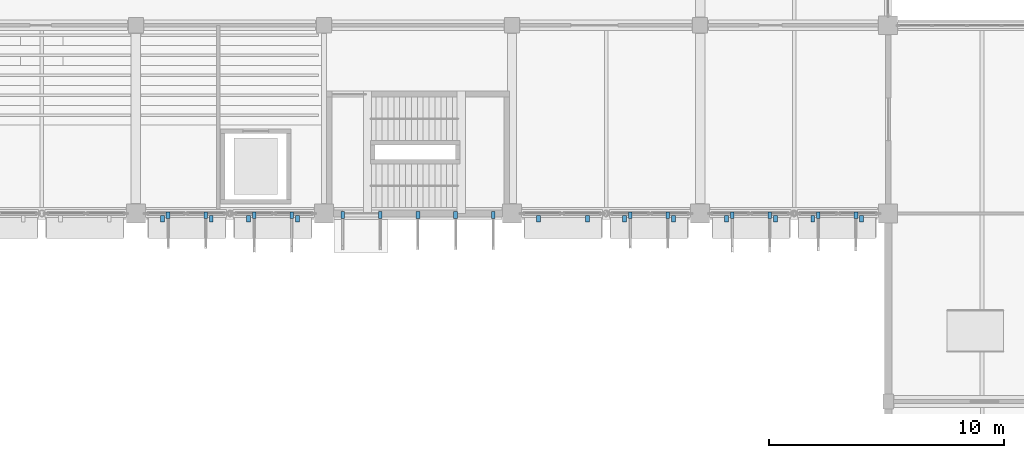
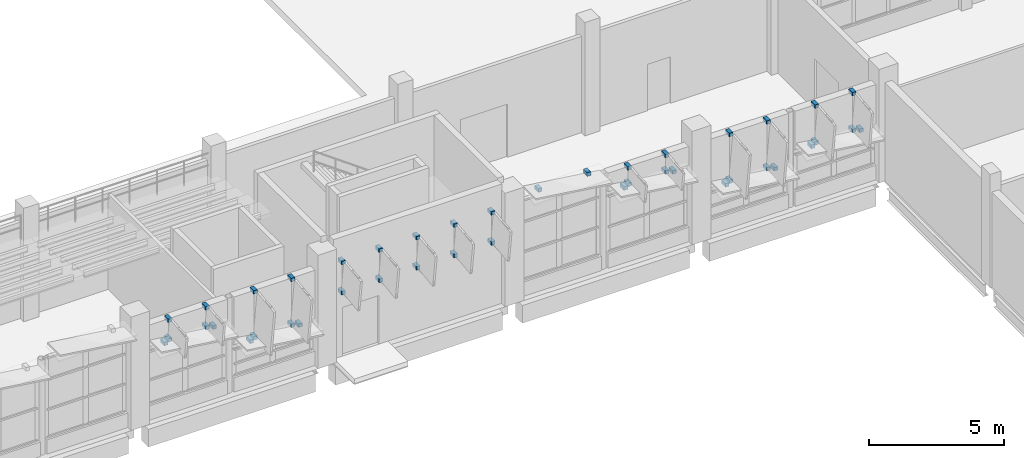
# One storey, part 89 of 103: 42 discrete accessories.
"""IFC4 building model written with IfcOpenShell, lengths in metres."""

from ifc_helpers import new_model, si_unit, direction, frame, origin, origin_2d, place, context, subcontext, project, spatial, rectangle, extrude, material, type_object, element, save


model = new_model("IFC4")

# Units and contexts
model_context = context("Model", 3, precision=1e-05, world=origin(), true_north=direction((0.0, 1.0)))
body_context = subcontext(model_context, "Body", "Model", "MODEL_VIEW")
ifc_project = project(units=[si_unit("LENGTHUNIT", "METRE"), si_unit("AREAUNIT", "SQUARE_METRE"), si_unit("VOLUMEUNIT", "CUBIC_METRE"), si_unit("PLANEANGLEUNIT", "RADIAN"), si_unit("MASSUNIT", "GRAM", prefix="KILO")], contexts=[model_context])

# Site, building, storey
site_placement = place(None, origin())
site = spatial("IfcSite", under=ifc_project, at=site_placement, CompositionType="ELEMENT")
building_placement = place(site_placement, origin())
building = spatial("IfcBuilding", under=site, at=building_placement, Name="Drelvana Railside Aquatics Centre", CompositionType="ELEMENT")
storey_placement = place(building_placement, origin())
storey = spatial("IfcBuildingStorey", under=building, at=storey_placement, Name="L00", CompositionType="ELEMENT", Elevation=0.0)

# Discrete accessories
ifc_material = material(Name="Stainless steel 316 facade bracket", Category="steel")
discrete_accessory_type = type_object("IfcDiscreteAccessoryType", Name="ACC-BRACKET-FIN", PredefinedType="BRACKET", material=ifc_material)
for number, where, z_axis, x_axis, name in (
    (1, (65.3701171875, 15.9150390625, 3.29296875), (0.0, 0.0, 1.0), (0.0, -1.0, 0.0), "Shading fin bracket BK-0167"),
    (2, (65.3701171875, 15.9150390625, 4.18017578125), (0.0, 0.0, 1.0), (0.0, -1.0, 0.0), "Shading fin bracket BK-0168"),
    (3, (66.969970703125, 15.9150390625, 3.29296875), (0.0, 0.0, 1.0), (0.0, -1.0, 0.0), "Shading fin bracket BK-0169"),
    (4, (66.969970703125, 15.9150390625, 4.18017578125), (0.0, 0.0, 1.0), (0.0, -1.0, 0.0), "Shading fin bracket BK-0170"),
):
    element("IfcDiscreteAccessory", number, at=place(storey_placement, frame(where, z_axis=z_axis, x_axis=x_axis)), inside=storey, type_object=discrete_accessory_type, Name=name, PredefinedType="BRACKET", context=body_context, shape_type="SweptSolid", body=[
        extrude(rectangle(XDim=0.280029296875, YDim=0.159912109375, at=origin_2d()), origin(), (0.0, 0.0, 1.0), 0.159912109375),
    ])
for number, where, z_axis, x_axis, name in (
    (5, (65.1298828125, 15.780029296875, 3.2978515625), (0.0, 0.0, 1.0), (1.0, 0.0, 0.0), "Eyelid louvre bracket BK-0171"),
    (6, (67.2099609375, 15.780029296875, 3.2978515625), (0.0, 0.0, 1.0), (1.0, 0.0, 0.0), "Eyelid louvre bracket BK-0172"),
):
    element("IfcDiscreteAccessory", number, at=place(storey_placement, frame(where, z_axis=z_axis, x_axis=x_axis)), inside=storey, type_object=discrete_accessory_type, Name=name, PredefinedType="BRACKET", context=body_context, shape_type="SweptSolid", body=[
        extrude(rectangle(XDim=0.159912109375, YDim=0.280029296875, at=origin_2d()), origin(), (0.0, 0.0, 1.0), 0.159912109375),
    ])
for number, where, z_axis, x_axis, name in (
    (7, (69.030029296875, 15.9150390625, 2.10498046875), (0.0, 0.0, 1.0), (0.0, -1.0, 0.0), "Shading fin bracket BK-0173"),
    (8, (69.030029296875, 15.9150390625, 4.18017578125), (0.0, 0.0, 1.0), (0.0, -1.0, 0.0), "Shading fin bracket BK-0174"),
    (9, (70.6298828125, 15.9150390625, 2.10498046875), (0.0, 0.0, 1.0), (0.0, -1.0, 0.0), "Shading fin bracket BK-0175"),
    (10, (70.6298828125, 15.9150390625, 4.18017578125), (0.0, 0.0, 1.0), (0.0, -1.0, 0.0), "Shading fin bracket BK-0176"),
):
    element("IfcDiscreteAccessory", number, at=place(storey_placement, frame(where, z_axis=z_axis, x_axis=x_axis)), inside=storey, type_object=discrete_accessory_type, Name=name, PredefinedType="BRACKET", context=body_context, shape_type="SweptSolid", body=[
        extrude(rectangle(XDim=0.280029296875, YDim=0.159912109375, at=origin_2d()), origin(), (0.0, 0.0, 1.0), 0.159912109375),
    ])
for number, where, z_axis, x_axis, name in (
    (11, (68.7900390625, 15.780029296875, 2.10986328125), (0.0, 0.0, 1.0), (1.0, 0.0, 0.0), "Eyelid louvre bracket BK-0177"),
    (12, (70.8701171875, 15.780029296875, 2.10986328125), (0.0, 0.0, 1.0), (1.0, 0.0, 0.0), "Eyelid louvre bracket BK-0178"),
):
    element("IfcDiscreteAccessory", number, at=place(storey_placement, frame(where, z_axis=z_axis, x_axis=x_axis)), inside=storey, type_object=discrete_accessory_type, Name=name, PredefinedType="BRACKET", context=body_context, shape_type="SweptSolid", body=[
        extrude(rectangle(XDim=0.159912109375, YDim=0.280029296875, at=origin_2d()), origin(), (0.0, 0.0, 1.0), 0.159912109375),
    ])
for number, where, z_axis, x_axis, name in (
    (13, (72.800048828125, 15.929931640625, 2.81494140625), (0.0, 0.0, 1.0), (0.0, -1.0, 0.0), "Shading fin bracket BK-0199"),
    (14, (72.800048828125, 15.929931640625, 4.18017578125), (0.0, 0.0, 1.0), (0.0, -1.0, 0.0), "Shading fin bracket BK-0200"),
    (15, (74.39990234375, 15.929931640625, 2.81494140625), (0.0, 0.0, 1.0), (0.0, -1.0, 0.0), "Shading fin bracket BK-0201"),
    (16, (74.39990234375, 15.929931640625, 4.18017578125), (0.0, 0.0, 1.0), (0.0, -1.0, 0.0), "Shading fin bracket BK-0202"),
    (17, (76.0, 15.929931640625, 2.81494140625), (0.0, 0.0, 1.0), (0.0, -1.0, 0.0), "Shading fin bracket BK-0203"),
    (18, (76.0, 15.929931640625, 4.18017578125), (0.0, 0.0, 1.0), (0.0, -1.0, 0.0), "Shading fin bracket BK-0204"),
    (19, (77.60009765625, 15.929931640625, 2.81494140625), (0.0, 0.0, 1.0), (0.0, -1.0, 0.0), "Shading fin bracket BK-0205"),
    (20, (77.60009765625, 15.929931640625, 4.18017578125), (0.0, 0.0, 1.0), (0.0, -1.0, 0.0), "Shading fin bracket BK-0206"),
    (21, (79.199951171875, 15.929931640625, 2.81494140625), (0.0, 0.0, 1.0), (0.0, -1.0, 0.0), "Shading fin bracket BK-0207"),
    (22, (79.199951171875, 15.929931640625, 4.18017578125), (0.0, 0.0, 1.0), (0.0, -1.0, 0.0), "Shading fin bracket BK-0208"),
):
    element("IfcDiscreteAccessory", number, at=place(storey_placement, frame(where, z_axis=z_axis, x_axis=x_axis)), inside=storey, type_object=discrete_accessory_type, Name=name, PredefinedType="BRACKET", context=body_context, shape_type="SweptSolid", body=[
        extrude(rectangle(XDim=0.280029296875, YDim=0.159912109375, at=origin_2d()), origin(), (0.0, 0.0, 1.0), 0.159912109375),
    ])
for number, where, z_axis, x_axis, name in (
    (23, (81.1298828125, 15.780029296875, 4.6298828125), (0.0, 0.0, 1.0), (1.0, 0.0, 0.0), "Eyelid louvre bracket BK-0229"),
    (24, (83.2099609375, 15.780029296875, 4.6298828125), (0.0, 0.0, 1.0), (1.0, 0.0, 0.0), "Eyelid louvre bracket BK-0230"),
):
    element("IfcDiscreteAccessory", number, at=place(storey_placement, frame(where, z_axis=z_axis, x_axis=x_axis)), inside=storey, type_object=discrete_accessory_type, Name=name, PredefinedType="BRACKET", context=body_context, shape_type="SweptSolid", body=[
        extrude(rectangle(XDim=0.159912109375, YDim=0.280029296875, at=origin_2d()), origin(), (0.0, 0.0, 1.0), 0.159912109375),
    ])
for number, where, z_axis, x_axis, name in (
    (25, (85.030029296875, 15.9150390625, 3.43701171875), (0.0, 0.0, 1.0), (0.0, -1.0, 0.0), "Shading fin bracket BK-0231"),
    (26, (85.030029296875, 15.9150390625, 4.18017578125), (0.0, 0.0, 1.0), (0.0, -1.0, 0.0), "Shading fin bracket BK-0232"),
    (27, (86.6298828125, 15.9150390625, 3.43701171875), (0.0, 0.0, 1.0), (0.0, -1.0, 0.0), "Shading fin bracket BK-0233"),
    (28, (86.6298828125, 15.9150390625, 4.18017578125), (0.0, 0.0, 1.0), (0.0, -1.0, 0.0), "Shading fin bracket BK-0234"),
):
    element("IfcDiscreteAccessory", number, at=place(storey_placement, frame(where, z_axis=z_axis, x_axis=x_axis)), inside=storey, type_object=discrete_accessory_type, Name=name, PredefinedType="BRACKET", context=body_context, shape_type="SweptSolid", body=[
        extrude(rectangle(XDim=0.280029296875, YDim=0.159912109375, at=origin_2d()), origin(), (0.0, 0.0, 1.0), 0.159912109375),
    ])
for number, where, z_axis, x_axis, name in (
    (29, (84.7900390625, 15.780029296875, 3.44189453125), (0.0, 0.0, 1.0), (1.0, 0.0, 0.0), "Eyelid louvre bracket BK-0235"),
    (30, (86.8701171875, 15.780029296875, 3.44189453125), (0.0, 0.0, 1.0), (1.0, 0.0, 0.0), "Eyelid louvre bracket BK-0236"),
):
    element("IfcDiscreteAccessory", number, at=place(storey_placement, frame(where, z_axis=z_axis, x_axis=x_axis)), inside=storey, type_object=discrete_accessory_type, Name=name, PredefinedType="BRACKET", context=body_context, shape_type="SweptSolid", body=[
        extrude(rectangle(XDim=0.159912109375, YDim=0.280029296875, at=origin_2d()), origin(), (0.0, 0.0, 1.0), 0.159912109375),
    ])
for number, where, z_axis, x_axis, name in (
    (31, (89.3701171875, 15.9150390625, 2.06103515625), (0.0, 0.0, 1.0), (0.0, -1.0, 0.0), "Shading fin bracket BK-0257"),
    (32, (89.3701171875, 15.9150390625, 4.18017578125), (0.0, 0.0, 1.0), (0.0, -1.0, 0.0), "Shading fin bracket BK-0258"),
    (33, (90.969970703125, 15.9150390625, 2.06103515625), (0.0, 0.0, 1.0), (0.0, -1.0, 0.0), "Shading fin bracket BK-0259"),
    (34, (90.969970703125, 15.9150390625, 4.18017578125), (0.0, 0.0, 1.0), (0.0, -1.0, 0.0), "Shading fin bracket BK-0260"),
):
    element("IfcDiscreteAccessory", number, at=place(storey_placement, frame(where, z_axis=z_axis, x_axis=x_axis)), inside=storey, type_object=discrete_accessory_type, Name=name, PredefinedType="BRACKET", context=body_context, shape_type="SweptSolid", body=[
        extrude(rectangle(XDim=0.280029296875, YDim=0.159912109375, at=origin_2d()), origin(), (0.0, 0.0, 1.0), 0.159912109375),
    ])
for number, where, z_axis, x_axis, name in (
    (35, (89.1298828125, 15.780029296875, 2.06591796875), (0.0, 0.0, 1.0), (1.0, 0.0, 0.0), "Eyelid louvre bracket BK-0261"),
    (36, (91.2099609375, 15.780029296875, 2.06591796875), (0.0, 0.0, 1.0), (1.0, 0.0, 0.0), "Eyelid louvre bracket BK-0262"),
):
    element("IfcDiscreteAccessory", number, at=place(storey_placement, frame(where, z_axis=z_axis, x_axis=x_axis)), inside=storey, type_object=discrete_accessory_type, Name=name, PredefinedType="BRACKET", context=body_context, shape_type="SweptSolid", body=[
        extrude(rectangle(XDim=0.159912109375, YDim=0.280029296875, at=origin_2d()), origin(), (0.0, 0.0, 1.0), 0.159912109375),
    ])
for number, where, z_axis, x_axis, name in (
    (37, (93.030029296875, 15.9150390625, 2.51416015625), (0.0, 0.0, 1.0), (0.0, -1.0, 0.0), "Shading fin bracket BK-0263"),
    (38, (93.030029296875, 15.9150390625, 4.18017578125), (0.0, 0.0, 1.0), (0.0, -1.0, 0.0), "Shading fin bracket BK-0264"),
    (39, (94.6298828125, 15.9150390625, 2.51416015625), (0.0, 0.0, 1.0), (0.0, -1.0, 0.0), "Shading fin bracket BK-0265"),
    (40, (94.6298828125, 15.9150390625, 4.18017578125), (0.0, 0.0, 1.0), (0.0, -1.0, 0.0), "Shading fin bracket BK-0266"),
):
    element("IfcDiscreteAccessory", number, at=place(storey_placement, frame(where, z_axis=z_axis, x_axis=x_axis)), inside=storey, type_object=discrete_accessory_type, Name=name, PredefinedType="BRACKET", context=body_context, shape_type="SweptSolid", body=[
        extrude(rectangle(XDim=0.280029296875, YDim=0.159912109375, at=origin_2d()), origin(), (0.0, 0.0, 1.0), 0.159912109375),
    ])
for number, where, z_axis, x_axis, name in (
    (41, (92.7900390625, 15.780029296875, 2.51904296875), (0.0, 0.0, 1.0), (1.0, 0.0, 0.0), "Eyelid louvre bracket BK-0267"),
    (42, (94.8701171875, 15.780029296875, 2.51904296875), (0.0, 0.0, 1.0), (1.0, 0.0, 0.0), "Eyelid louvre bracket BK-0268"),
):
    element("IfcDiscreteAccessory", number, at=place(storey_placement, frame(where, z_axis=z_axis, x_axis=x_axis)), inside=storey, type_object=discrete_accessory_type, Name=name, PredefinedType="BRACKET", context=body_context, shape_type="SweptSolid", body=[
        extrude(rectangle(XDim=0.159912109375, YDim=0.280029296875, at=origin_2d()), origin(), (0.0, 0.0, 1.0), 0.159912109375),
    ])

save(model, "model.ifc")
